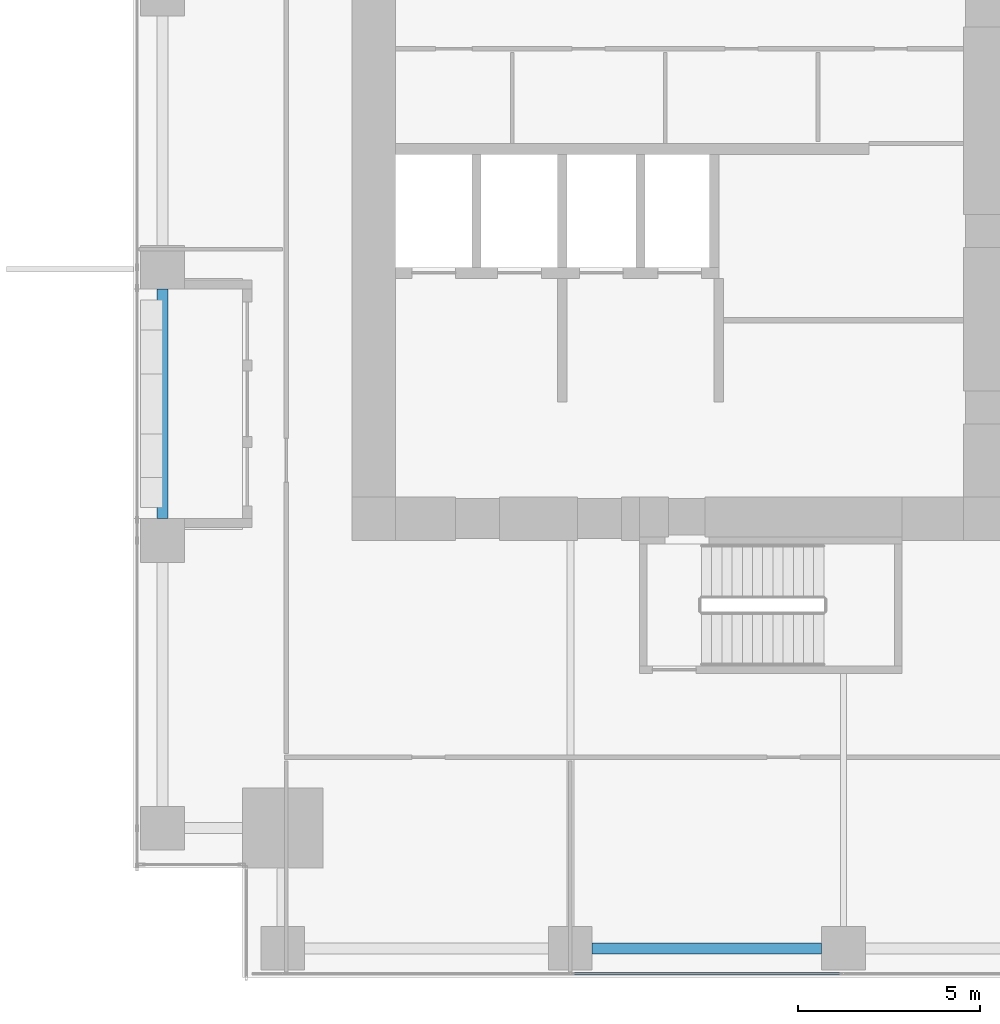
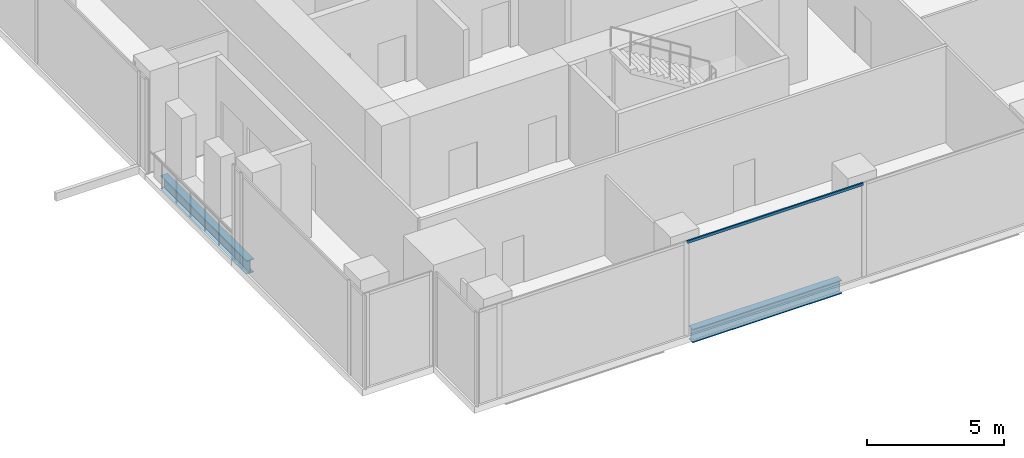
# One storey, part 3 of 33: 2 beams, 1 member, 1 element without a shape of its own.
"""IFC4 building model written with IfcOpenShell, lengths in metres."""

from ifc_helpers import new_model, si_unit, direction, frame, origin, origin_2d, place, context, subcontext, project, spatial, hollow_rectangle, i_section, extrude, source, transform, mapped, material, material_profile, profile_set, type_object, element, aggregate, save


model = new_model("IFC4")

# Units and contexts
model_context = context("Model", 3, precision=1e-05, world=origin(), true_north=direction((0.0, 1.0)))
body_context = subcontext(model_context, "Body", "Model", "MODEL_VIEW")
ifc_project = project(units=[si_unit("LENGTHUNIT", "METRE"), si_unit("AREAUNIT", "SQUARE_METRE"), si_unit("VOLUMEUNIT", "CUBIC_METRE"), si_unit("PLANEANGLEUNIT", "RADIAN"), si_unit("MASSUNIT", "GRAM", prefix="KILO")], contexts=[model_context])

# Site, building, storey
site_placement = place(None, origin())
site = spatial("IfcSite", under=ifc_project, at=site_placement, CompositionType="ELEMENT")
building_placement = place(site_placement, origin())
building = spatial("IfcBuilding", under=site, at=building_placement, Name="Khomas Fold Tower", CompositionType="ELEMENT")
storey_placement = place(building_placement, frame((0.0, 0.0, 91.5)))
storey = spatial("IfcBuildingStorey", under=building, at=storey_placement, Name="L19", CompositionType="ELEMENT", Elevation=91.5)

# Beams
ifc_material_1 = material(Name="Steel S355", Category="steel")
ifc_material_profile_1 = material_profile(ifc_material_1, i_section(OverallWidth=0.300048828125, OverallDepth=0.60009765625, WebThickness=0.015380859375, FlangeThickness=0.030029296875, at=origin_2d()), Name="HE 600 B")
ifc_profile_set_1 = profile_set([ifc_material_profile_1], Name="Steel S355")
beam_type = type_object("IfcBeamType", Name="HE 600 B spandrel SB1", PredefinedType="SPANDREL", material=ifc_profile_set_1)
shared_shape_1 = source(origin(), body_context, "Body", "SweptSolid", [
    extrude(i_section(OverallWidth=0.300048828125, OverallDepth=0.60009765625, WebThickness=0.015380859375, FlangeThickness=0.030029296875, at=origin_2d()), origin(), (0.0, 0.0, 1.0), 6.2998046875),
])
for number, where, z_axis, x_axis, name in (
    (1, (12.60009765625, 0.800048828125, -0.60009765625), (1.0, 0.0, 0.0), (0.0, 1.0, 0.0), "SB1"),
    (2, (0.800048828125, 12.60009765625, -0.60009765625), (0.0, 1.0, 0.0), (-1.0, 0.0, 0.0), "SB1"),
):
    element("IfcBeam", number, at=place(storey_placement, frame(where, z_axis=z_axis, x_axis=x_axis)), inside=storey, type_object=beam_type, Name=name, PredefinedType="SPANDREL", context=body_context, shape_type="MappedRepresentation", body=[
        mapped(shared_shape_1, transform((0.0, 0.0, 0.0))),
    ])

# Curtain wall, member
ifc_material_2 = material(Name="Aluminium framed double glazing", Category="aluminium")
curtain_wall_type = type_object("IfcCurtainWallType", Name="SK-Unitised clear-glass wall, growing floors CW1", PredefinedType="NOTDEFINED", material=ifc_material_2)
curtain_wall_placement = place(storey_placement, origin())
curtain_wall = element("IfcCurtainWall", 3, at=curtain_wall_placement, inside=storey, type_object=curtain_wall_type, Name="CW1 run L19 00-0", PredefinedType="NOTDEFINED")
ifc_material_3 = material(Name="Aluminium", Category="aluminium")
ifc_material_profile_2 = material_profile(ifc_material_3, hollow_rectangle(XDim=0.06005859375, YDim=0.1201171875, WallThickness=0.00390625, at=origin_2d()), Name="SK-Unitised clear-glass wall, growing floors transom CW1-T")
ifc_profile_set_2 = profile_set([ifc_material_profile_2], Name="Aluminium")
member_type = type_object("IfcMemberType", Name="SK-Unitised clear-glass wall, growing floors transom CW1-T", PredefinedType="USERDEFINED", material=ifc_profile_set_2)
shared_shape_2 = source(origin(), body_context, "Body", "SweptSolid", [
    extrude(hollow_rectangle(XDim=0.06005859375, YDim=0.1201171875, WallThickness=0.00390625, at=origin_2d()), origin(), (0.0, 0.0, 1.0), 7.43994140625),
])
member_placement = place(storey_placement, frame((12.030029296875, 0.10009765625, 4.139892578125), z_axis=(1.0, 0.0, 0.0), x_axis=(0.0, 1.0, 0.0)))
member = element("IfcMember", 4, at=member_placement, type_object=member_type, Name="CW1 transom 3", ObjectType="TRANSOM", PredefinedType="USERDEFINED", context=body_context, shape_type="MappedRepresentation", body=[
    mapped(shared_shape_2, transform((0.0, 0.0, 0.0))),
])
aggregate(curtain_wall, [member])

save(model, "model.ifc")
